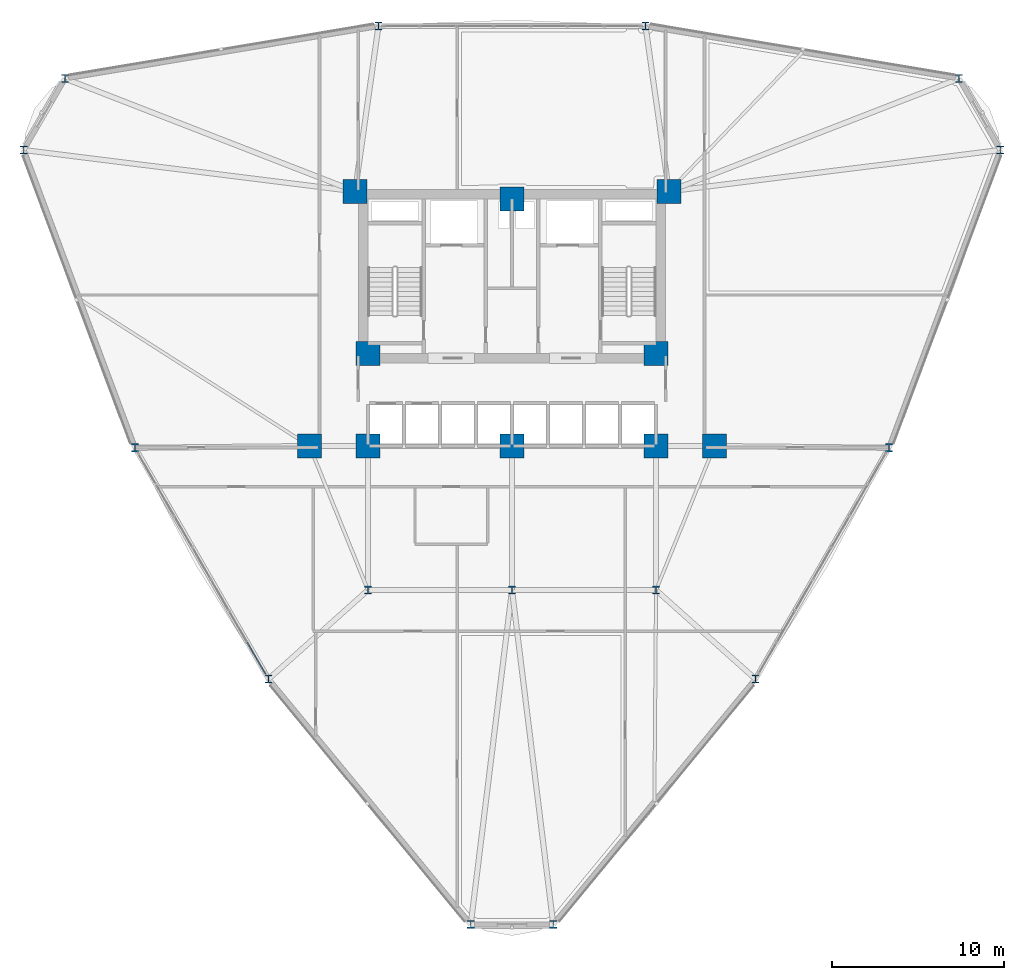
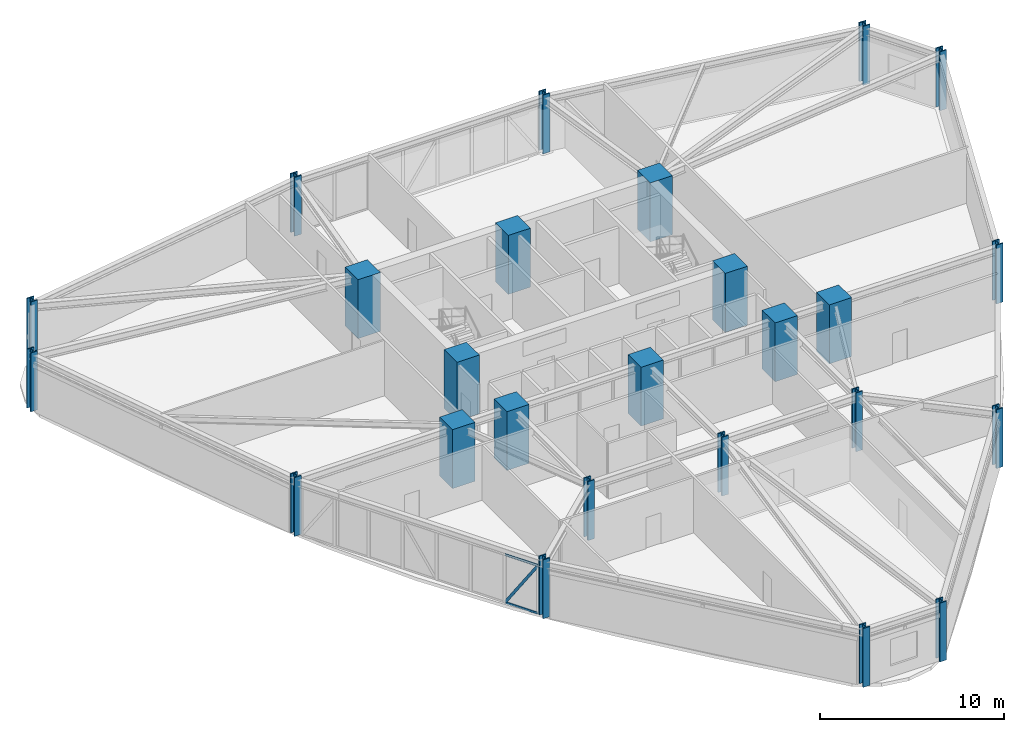
# One storey, part 1 of 22: 25 columns, 3 members, 1 element without a shape of its own.
"""IFC4 building model written with IfcOpenShell, lengths in metres."""

from ifc_helpers import new_model, si_unit, derived_unit, direction, frame, origin, origin_2d, place, context, subcontext, project, spatial, rectangle, hollow_rectangle, i_section, extrude, source, transform, mapped, material, layer, layer_set, material_profile, profile_set, type_object, element, aggregate, save


model = new_model("IFC4")

# Units and contexts
model_context = context("Model", 3, precision=1e-05, world=origin(), true_north=direction((0.0, 1.0)))
body_context = subcontext(model_context, "Body", "Model", "MODEL_VIEW")
ifc_project = project(units=[si_unit("LENGTHUNIT", "METRE"), si_unit("AREAUNIT", "SQUARE_METRE"), si_unit("VOLUMEUNIT", "CUBIC_METRE"), si_unit("PLANEANGLEUNIT", "RADIAN"), si_unit("MASSUNIT", "GRAM", prefix="KILO"), derived_unit("THERMALTRANSMITTANCEUNIT", [(si_unit("POWERUNIT", "WATT"), 1), (si_unit("LENGTHUNIT", "METRE"), -2), (si_unit("THERMODYNAMICTEMPERATUREUNIT", "KELVIN"), -1)])], contexts=[model_context])

# Site, building, storey
site_placement = place(None, origin())
site = spatial("IfcSite", under=ifc_project, at=site_placement, CompositionType="ELEMENT")
building_placement = place(site_placement, origin())
building = spatial("IfcBuilding", under=site, at=building_placement, Name="Korsvarv Bourse and Concert Hall", CompositionType="ELEMENT")
storey_placement = place(building_placement, frame((0.0, 0.0, 47.39990234375)))
storey = spatial("IfcBuildingStorey", under=building, at=storey_placement, Name="L11", CompositionType="ELEMENT", Elevation=47.39990234375)

# Columns
ifc_material_1 = material(Name="Concrete C60/75", Category="concrete")
ifc_material_profile_1 = material_profile(ifc_material_1, rectangle(XDim=1.39990234375, YDim=1.39990234375, at=origin_2d()), Name="RC 1400x1400")
ifc_profile_set_1 = profile_set([ifc_material_profile_1], Name="Concrete C60/75")
column_type_1 = type_object("IfcColumnType", Name="COL-RC1400", PredefinedType="COLUMN", material=ifc_profile_set_1)
shared_shape_1 = source(origin(), body_context, "Body", "SweptSolid", [
    extrude(rectangle(XDim=1.39990234375, YDim=1.39990234375, at=origin_2d()), origin(), (0.0, 0.0, 1.0), 3.900146484375),
])
for number, where, z_axis, x_axis, name in (
    (1, (26.85009765625, 47.25, 0.0), (0.0, 0.0, 1.0), (1.0, 0.0, 0.0), "L11 column C-01"),
    (2, (45.14990234375, 47.25, 0.0), (0.0, 0.0, 1.0), (1.0, 0.0, 0.0), "L11 column C-01"),
    (3, (27.60009765625, 37.800048828125, 0.0), (0.0, 0.0, 1.0), (1.0, 0.0, 0.0), "L11 column C-01"),
    (4, (44.39990234375, 37.800048828125, 0.0), (0.0, 0.0, 1.0), (1.0, 0.0, 0.0), "L11 column C-01"),
    (5, (27.60009765625, 32.39990234375, 0.0), (0.0, 0.0, 1.0), (1.0, 0.0, 0.0), "L11 column C-01"),
    (6, (44.39990234375, 32.39990234375, 0.0), (0.0, 0.0, 1.0), (1.0, 0.0, 0.0), "L11 column C-01"),
    (7, (36.0, 46.800048828125, 0.0), (0.0, 0.0, 1.0), (1.0, 0.0, 0.0), "L11 column C-01"),
    (8, (36.0, 32.39990234375, 0.0), (0.0, 0.0, 1.0), (1.0, 0.0, 0.0), "L11 column C-01"),
    (9, (24.199951171875, 32.39990234375, 0.0), (0.0, 0.0, 1.0), (1.0, 0.0, 0.0), "L11 column C-01"),
    (10, (47.800048828125, 32.39990234375, 0.0), (0.0, 0.0, 1.0), (1.0, 0.0, 0.0), "L11 column C-01"),
):
    element("IfcColumn", number, at=place(storey_placement, frame(where, z_axis=z_axis, x_axis=x_axis)), inside=storey, type_object=column_type_1, Name=name, PredefinedType="COLUMN", context=body_context, shape_type="MappedRepresentation", body=[
        mapped(shared_shape_1, transform((0.0, 0.0, 0.0), scale=1.0)),
    ])
ifc_material_2 = material(Name="Steel S460", Category="steel")
ifc_material_profile_2 = material_profile(ifc_material_2, i_section(OverallWidth=0.424072265625, OverallDepth=0.47412109375, WebThickness=0.044921875, FlangeThickness=0.072021484375, FilletRadius=0.014892578125, at=origin_2d()), Name="HD 400x634")
ifc_profile_set_2 = profile_set([ifc_material_profile_2], Name="Steel S460")
column_type_2 = type_object("IfcColumnType", Name="COL-HD634", PredefinedType="COLUMN", material=ifc_profile_set_2)
shared_shape_2 = source(origin(), body_context, "Body", "SweptSolid", [
    extrude(i_section(OverallWidth=0.424072265625, OverallDepth=0.47412109375, WebThickness=0.044921875, FlangeThickness=0.072021484375, FilletRadius=0.014892578125, at=origin_2d()), origin(), (0.0, 0.0, 1.0), 3.900146484375),
])
for number, where, z_axis, x_axis, name in (
    (11, (27.60009765625, 24.0, 0.0), (0.0, 0.0, 1.0), (1.0, 0.0, 0.0), "L11 column C-07"),
    (12, (44.39990234375, 24.0, 0.0), (0.0, 0.0, 1.0), (1.0, 0.0, 0.0), "L11 column C-07"),
    (13, (36.0, 24.0, 0.0), (0.0, 0.0, 1.0), (1.0, 0.0, 0.0), "L11 column C-07"),
    (14, (64.474609375, 49.662353515625, 0.0), (0.0, 0.0, 1.0), (1.0, 0.0, 0.0), "L11 column C-07"),
    (15, (62.069091796875, 53.82861328125, 0.0), (0.0, 0.0, 1.0), (1.0, 0.0, 0.0), "L11 column C-07"),
    (16, (43.78466796875, 56.889404296875, 0.0), (0.0, 0.0, 1.0), (1.0, 0.0, 0.0), "L11 column C-07"),
    (17, (28.21533203125, 56.889404296875, 0.0), (0.0, 0.0, 1.0), (1.0, 0.0, 0.0), "L11 column C-07"),
    (18, (9.930908203125, 53.82861328125, 0.0), (0.0, 0.0, 1.0), (1.0, 0.0, 0.0), "L11 column C-07"),
    (19, (7.525390625, 49.662353515625, 0.0), (0.0, 0.0, 1.0), (1.0, 0.0, 0.0), "L11 column C-07"),
    (20, (14.016845703125, 32.297119140625, 0.0), (0.0, 0.0, 1.0), (1.0, 0.0, 0.0), "L11 column C-07"),
    (21, (21.801513671875, 18.8134765625, 0.0), (0.0, 0.0, 1.0), (1.0, 0.0, 0.0), "L11 column C-07"),
    (22, (33.5947265625, 4.509033203125, 0.0), (0.0, 0.0, 1.0), (1.0, 0.0, 0.0), "L11 column C-07"),
    (23, (38.4052734375, 4.509033203125, 0.0), (0.0, 0.0, 1.0), (1.0, 0.0, 0.0), "L11 column C-07"),
    (24, (50.198486328125, 18.8134765625, 0.0), (0.0, 0.0, 1.0), (1.0, 0.0, 0.0), "L11 column C-07"),
    (25, (57.983154296875, 32.297119140625, 0.0), (0.0, 0.0, 1.0), (1.0, 0.0, 0.0), "L11 column C-07"),
):
    element("IfcColumn", number, at=place(storey_placement, frame(where, z_axis=z_axis, x_axis=x_axis)), inside=storey, type_object=column_type_2, Name=name, PredefinedType="COLUMN", context=body_context, shape_type="MappedRepresentation", body=[
        mapped(shared_shape_2, transform((0.0, 0.0, 0.0), scale=1.0)),
    ])

# Curtain wall, members
ifc_material_3 = material(Name="Anodised aluminium and triple low-E glazing", Category="glass")
ifc_layer = layer(ifc_material_3, 0.219970703125)
ifc_layer_set = layer_set([ifc_layer], Name="Anodised aluminium and triple low-E glazing")
curtain_wall_type = type_object("IfcCurtainWallType", Name="CW-SYS-1", PredefinedType="NOTDEFINED", material=ifc_layer_set)
curtain_wall_placement = place(storey_placement, origin())
curtain_wall = element("IfcCurtainWall", 26, at=curtain_wall_placement, inside=storey, type_object=curtain_wall_type, Name="L11 CW1 curtain wall CW-L11-F07", PredefinedType="NOTDEFINED")
ifc_material_4 = material(Name="Extruded aluminium EN AW-6063 T66", Category="aluminium")
ifc_material_profile_3 = material_profile(ifc_material_4, hollow_rectangle(XDim=0.06494140625, YDim=0.1650390625, WallThickness=0.0048828125, at=origin_2d()), Name="ALU-M 65x165")
ifc_profile_set_3 = profile_set([ifc_material_profile_3], Name="Extruded aluminium EN AW-6063 T66")
member_type_1 = type_object("IfcMemberType", Name="CWM-165", PredefinedType="MULLION", material=ifc_profile_set_3)
shared_shape_3 = source(origin(), body_context, "Body", "SweptSolid", [
    extrude(hollow_rectangle(XDim=0.06494140625, YDim=0.1650390625, WallThickness=0.0048828125, at=origin_2d()), origin(), (0.0, 0.0, 1.0), 3.702392578125),
])
member_1_placement = place(storey_placement, frame((20.588623046875, 20.914306640625, 0.065185546875), z_axis=(0.273397042853, -0.473532118843, 0.837270200941), x_axis=(0.866022911947, 0.500004315964, 0.0)))
member_1 = element("IfcMember", 27, at=member_1_placement, type_object=member_type_1, Name="CW1 diagonal mullion 7", PredefinedType="MULLION", context=body_context, shape_type="MappedRepresentation", body=[
    mapped(shared_shape_3, transform((0.0, 0.0, 0.0), scale=1.0)),
])
ifc_material_profile_4 = material_profile(ifc_material_4, hollow_rectangle(XDim=0.06494140625, YDim=0.139892578125, WallThickness=0.00390625, at=origin_2d()), Name="ALU-T 65x140")
ifc_profile_set_4 = profile_set([ifc_material_profile_4], Name="Extruded aluminium EN AW-6063 T66")
member_type_2 = type_object("IfcMemberType", Name="CWT-140", PredefinedType="USERDEFINED", material=ifc_profile_set_4)
shared_shape_4 = source(origin(), body_context, "Body", "SweptSolid", [
    extrude(hollow_rectangle(XDim=0.06494140625, YDim=0.139892578125, WallThickness=0.00390625, at=origin_2d()), origin(), (0.0, 0.0, 1.0), 2.0244140625),
])
member_2_placement = place(storey_placement, frame((20.588623046875, 20.914306640625, 0.03271484375), z_axis=(0.500004315964, -0.866022911947, 0.0), x_axis=(0.866022911947, 0.500004315964, 0.0)))
member_2 = element("IfcMember", 28, at=member_2_placement, type_object=member_type_2, Name="CW1 transom 7.1", ObjectType="TRANSOM", PredefinedType="USERDEFINED", context=body_context, shape_type="MappedRepresentation", body=[
    mapped(shared_shape_4, transform((0.0, 0.0, 0.0), scale=1.0)),
])
member_3_placement = place(storey_placement, frame((20.588623046875, 20.914306640625, 3.197509765625), z_axis=(0.500004315964, -0.866022911947, 0.0), x_axis=(0.866022911947, 0.500004315964, 0.0)))
member_3 = element("IfcMember", 29, at=member_3_placement, type_object=member_type_2, Name="CW1 transom 7.2", ObjectType="TRANSOM", PredefinedType="USERDEFINED", context=body_context, shape_type="MappedRepresentation", body=[
    mapped(shared_shape_4, transform((0.0, 0.0, 0.0), scale=1.0)),
])
aggregate(curtain_wall, [member_2, member_3, member_1])

save(model, "model.ifc")
